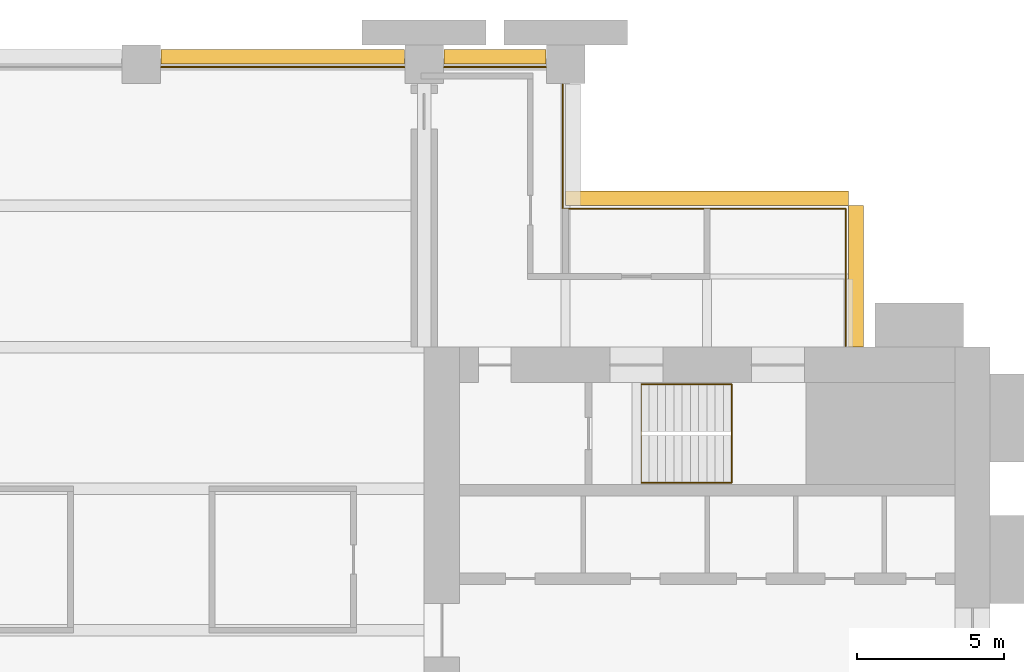
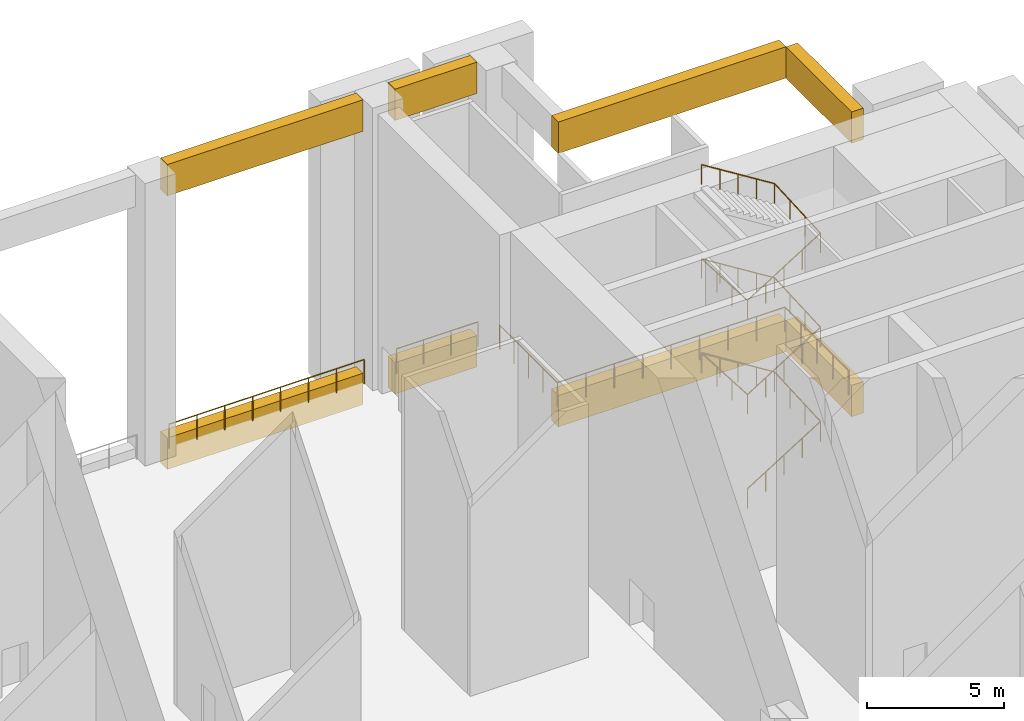
# One storey, part 10 of 10: 8 coverings, 4 railings.
"""IFC4 building model written with IfcOpenShell, lengths in metres."""

from ifc_helpers import new_model, si_unit, direction, frame, origin, origin_2d, place, context, subcontext, project, spatial, polyline, circle, outline, extrude, material, type_object, element, save


model = new_model("IFC4")

# Units and contexts
model_context = context("Model", 3, precision=1e-05, world=origin(), true_north=direction((0.0, 1.0)))
body_context = subcontext(model_context, "Body", "Model", "MODEL_VIEW")
ifc_project = project(units=[si_unit("LENGTHUNIT", "METRE"), si_unit("AREAUNIT", "SQUARE_METRE"), si_unit("VOLUMEUNIT", "CUBIC_METRE"), si_unit("PLANEANGLEUNIT", "RADIAN"), si_unit("MASSUNIT", "GRAM", prefix="KILO")], contexts=[model_context])

# Site, building, storey
site_placement = place(None, origin())
site = spatial("IfcSite", under=ifc_project, at=site_placement, CompositionType="ELEMENT")
building_placement = place(site_placement, origin())
building = spatial("IfcBuilding", under=site, at=building_placement, Name="Baori Bourse Tower", CompositionType="ELEMENT")
storey_placement = place(building_placement, frame((0.0, 0.0, 91.5)))
storey = spatial("IfcBuildingStorey", under=building, at=storey_placement, Name="L20", CompositionType="ELEMENT", Elevation=91.5)

# Railing
ifc_material_1 = material(Name="Powder-coated steel balustrade", Category="steel")
railing_type_1 = type_object("IfcRailingType", Name="Core stair handrail", PredefinedType="HANDRAIL", material=ifc_material_1)
railing_1_placement = place(storey_placement, frame((45.75, 33.800048828125, 0.175048828125)))
element("IfcRailing", 1, at=railing_1_placement, inside=storey, type_object=railing_type_1, Name="L20 ST4 stair handrail 1", PredefinedType="HANDRAIL", context=body_context, shape_type="SweptSolid", body=[
    extrude(circle(Radius=0.02392578125, at=origin_2d()), frame((0.0, 0.0, 0.8759765625), z_axis=(0.847998304005, 0.0, 0.529998940003), x_axis=(0.0, 1.0, 0.0)), (0.0, 0.0, 1.0), 3.632080078125),
    extrude(circle(Radius=0.02392578125, at=origin_2d()), frame((3.080078125, 0.0, 2.80078125), z_axis=(0.0, 0.998641252765, 0.052111882296), x_axis=(-1.0, 0.0, 0.0)), (0.0, 0.0, 1.0), 3.3544921875),
    extrude(circle(Radius=0.02392578125, at=origin_2d()), frame((3.080078125, 3.349853515625, 2.9755859375), z_axis=(-0.847998304005, 0.0, 0.529998940003), x_axis=(0.0, -1.0, 0.0)), (0.0, 0.0, 1.0), 3.632080078125),
    extrude(circle(Radius=0.02392578125, at=origin_2d()), frame((0.0, 3.349853515625, 4.90087890625), z_axis=(0.0, -0.99863746249, 0.052184466191), x_axis=(1.0, 0.0, 0.0)), (0.0, 0.0, 1.0), 3.3544921875),
    extrude(circle(Radius=0.02392578125, at=origin_2d()), frame((0.0, 0.0, 5.07568359375), z_axis=(0.847998304005, 0.0, 0.529998940003), x_axis=(0.0, 1.0, 0.0)), (0.0, 0.0, 1.0), 3.632080078125),
    extrude(circle(Radius=0.02392578125, at=origin_2d()), frame((3.080078125, 0.0, 7.0009765625), z_axis=(0.0, 0.99863746249, 0.052184466191), x_axis=(-1.0, 0.0, 0.0)), (0.0, 0.0, 1.0), 3.3544921875),
    extrude(circle(Radius=0.02392578125, at=origin_2d()), frame((3.080078125, 3.349853515625, 7.17578125), z_axis=(-0.848028513186, 0.0, 0.529950602248), x_axis=(0.0, -1.0, 0.0)), (0.0, 0.0, 1.0), 3.632080078125),
    extrude(circle(Radius=0.02392578125, at=origin_2d()), frame((0.0, 3.349853515625, 9.1005859375), z_axis=(0.0, -0.99863746249, 0.052184466191), x_axis=(1.0, 0.0, 0.0)), (0.0, 0.0, 1.0), 3.3544921875),
    extrude(circle(Radius=0.02392578125, at=origin_2d()), frame((0.0, 0.0, 9.27587890625), z_axis=(0.847998304005, 0.0, 0.529998940003), x_axis=(0.0, 1.0, 0.0)), (0.0, 0.0, 1.0), 3.632080078125),
    extrude(circle(Radius=0.02392578125, at=origin_2d()), frame((3.080078125, 0.0, 11.20068359375), z_axis=(0.0, 0.99863746249, 0.052184466191), x_axis=(-1.0, 0.0, 0.0)), (0.0, 0.0, 1.0), 3.3544921875),
    extrude(circle(Radius=0.02392578125, at=origin_2d()), frame((3.080078125, 3.349853515625, 11.3759765625), z_axis=(-0.847998304005, 0.0, 0.529998940003), x_axis=(0.0, -1.0, 0.0)), (0.0, 0.0, 1.0), 3.632080078125),
    extrude(circle(Radius=0.02099609375, at=origin_2d()), origin(), (0.0, 0.0, 1.0), 0.851806640625),
    extrude(circle(Radius=0.02099609375, at=origin_2d()), frame((0.77001953125, 0.0, 0.481201171875)), (0.0, 0.0, 1.0), 0.851806640625),
    extrude(circle(Radius=0.02099609375, at=origin_2d()), frame((1.5400390625, 0.0, 0.96240234375)), (0.0, 0.0, 1.0), 0.851806640625),
    extrude(circle(Radius=0.02099609375, at=origin_2d()), frame((2.31005859375, 0.0, 1.44384765625)), (0.0, 0.0, 1.0), 0.851806640625),
    extrude(circle(Radius=0.02099609375, at=origin_2d()), frame((3.080078125, 0.0, 1.925048828125)), (0.0, 0.0, 1.0), 0.851806640625),
    extrude(circle(Radius=0.02099609375, at=origin_2d()), frame((3.080078125, 1.11669921875, 1.9833984375)), (0.0, 0.0, 1.0), 0.851806640625),
    extrude(circle(Radius=0.02099609375, at=origin_2d()), frame((3.080078125, 2.233154296875, 2.04150390625)), (0.0, 0.0, 1.0), 0.851806640625),
    extrude(circle(Radius=0.02099609375, at=origin_2d()), frame((3.080078125, 3.349853515625, 2.099853515625)), (0.0, 0.0, 1.0), 0.851806640625),
    extrude(circle(Radius=0.02099609375, at=origin_2d()), frame((2.31005859375, 3.349853515625, 2.5810546875)), (0.0, 0.0, 1.0), 0.851806640625),
    extrude(circle(Radius=0.02099609375, at=origin_2d()), frame((1.5400390625, 3.349853515625, 3.0625)), (0.0, 0.0, 1.0), 0.851806640625),
    extrude(circle(Radius=0.02099609375, at=origin_2d()), frame((0.77001953125, 3.349853515625, 3.543701171875)), (0.0, 0.0, 1.0), 0.851806640625),
    extrude(circle(Radius=0.02099609375, at=origin_2d()), frame((0.0, 3.349853515625, 4.02490234375)), (0.0, 0.0, 1.0), 0.851806640625),
    extrude(circle(Radius=0.02099609375, at=origin_2d()), frame((0.0, 2.233154296875, 4.083251953125)), (0.0, 0.0, 1.0), 0.851806640625),
    extrude(circle(Radius=0.02099609375, at=origin_2d()), frame((0.0, 1.11669921875, 4.1416015625)), (0.0, 0.0, 1.0), 0.851806640625),
    extrude(circle(Radius=0.02099609375, at=origin_2d()), frame((0.0, 0.0, 4.199951171875)), (0.0, 0.0, 1.0), 0.851806640625),
    extrude(circle(Radius=0.02099609375, at=origin_2d()), frame((0.77001953125, 0.0, 4.68115234375)), (0.0, 0.0, 1.0), 0.851806640625),
    extrude(circle(Radius=0.02099609375, at=origin_2d()), frame((1.5400390625, 0.0, 5.16259765625)), (0.0, 0.0, 1.0), 0.851806640625),
    extrude(circle(Radius=0.02099609375, at=origin_2d()), frame((2.31005859375, 0.0, 5.643798828125)), (0.0, 0.0, 1.0), 0.851806640625),
    extrude(circle(Radius=0.02099609375, at=origin_2d()), frame((3.080078125, 0.0, 6.125)), (0.0, 0.0, 1.0), 0.851806640625),
    extrude(circle(Radius=0.02099609375, at=origin_2d()), frame((3.080078125, 1.11669921875, 6.183349609375)), (0.0, 0.0, 1.0), 0.851806640625),
    extrude(circle(Radius=0.02099609375, at=origin_2d()), frame((3.080078125, 2.233154296875, 6.24169921875)), (0.0, 0.0, 1.0), 0.851806640625),
    extrude(circle(Radius=0.02099609375, at=origin_2d()), frame((3.080078125, 3.349853515625, 6.300048828125)), (0.0, 0.0, 1.0), 0.851806640625),
    extrude(circle(Radius=0.02099609375, at=origin_2d()), frame((2.31005859375, 3.349853515625, 6.78125)), (0.0, 0.0, 1.0), 0.851806640625),
    extrude(circle(Radius=0.02099609375, at=origin_2d()), frame((1.5400390625, 3.349853515625, 7.262451171875)), (0.0, 0.0, 1.0), 0.851806640625),
    extrude(circle(Radius=0.02099609375, at=origin_2d()), frame((0.77001953125, 3.349853515625, 7.74365234375)), (0.0, 0.0, 1.0), 0.851806640625),
    extrude(circle(Radius=0.02099609375, at=origin_2d()), frame((0.0, 3.349853515625, 8.224853515625)), (0.0, 0.0, 1.0), 0.851806640625),
    extrude(circle(Radius=0.02099609375, at=origin_2d()), frame((0.0, 2.233154296875, 8.283203125)), (0.0, 0.0, 1.0), 0.851806640625),
    extrude(circle(Radius=0.02099609375, at=origin_2d()), frame((0.0, 1.11669921875, 8.341552734375)), (0.0, 0.0, 1.0), 0.851806640625),
    extrude(circle(Radius=0.02099609375, at=origin_2d()), frame((0.0, 0.0, 8.39990234375)), (0.0, 0.0, 1.0), 0.851806640625),
    extrude(circle(Radius=0.02099609375, at=origin_2d()), frame((0.77001953125, 0.0, 8.881103515625)), (0.0, 0.0, 1.0), 0.851806640625),
    extrude(circle(Radius=0.02099609375, at=origin_2d()), frame((1.5400390625, 0.0, 9.3623046875)), (0.0, 0.0, 1.0), 0.851806640625),
    extrude(circle(Radius=0.02099609375, at=origin_2d()), frame((2.31005859375, 0.0, 9.84375)), (0.0, 0.0, 1.0), 0.851806640625),
    extrude(circle(Radius=0.02099609375, at=origin_2d()), frame((3.080078125, 0.0, 10.324951171875)), (0.0, 0.0, 1.0), 0.851806640625),
    extrude(circle(Radius=0.02099609375, at=origin_2d()), frame((3.080078125, 1.11669921875, 10.38330078125)), (0.0, 0.0, 1.0), 0.851806640625),
    extrude(circle(Radius=0.02099609375, at=origin_2d()), frame((3.080078125, 2.233154296875, 10.441650390625)), (0.0, 0.0, 1.0), 0.851806640625),
    extrude(circle(Radius=0.02099609375, at=origin_2d()), frame((3.080078125, 3.349853515625, 10.5)), (0.0, 0.0, 1.0), 0.851806640625),
    extrude(circle(Radius=0.02099609375, at=origin_2d()), frame((2.31005859375, 3.349853515625, 10.981201171875)), (0.0, 0.0, 1.0), 0.851806640625),
    extrude(circle(Radius=0.02099609375, at=origin_2d()), frame((1.5400390625, 3.349853515625, 11.46240234375)), (0.0, 0.0, 1.0), 0.851806640625),
    extrude(circle(Radius=0.02099609375, at=origin_2d()), frame((0.77001953125, 3.349853515625, 11.94384765625)), (0.0, 0.0, 1.0), 0.851806640625),
    extrude(circle(Radius=0.02099609375, at=origin_2d()), frame((0.0, 3.349853515625, 12.425048828125)), (0.0, 0.0, 1.0), 0.851806640625),
])

# Coverings
ifc_material_2 = material(Name="Pale anodised aluminium", Category="aluminium")
covering_type = type_object("IfcCoveringType", Name="ED2 Portal fascia band", PredefinedType="CLADDING", material=ifc_material_2)
covering_1_placement = place(storey_placement, frame((0.0, 0.0, -1.0)))
element("IfcCovering", 2, at=covering_1_placement, inside=storey, type_object=covering_type, Name="Portal fascia band deck L20 1", PredefinedType="CLADDING", context=body_context, shape_type="SweptSolid", body=[
    extrude(outline(polyline([(52.800048828125, 43.199951171875), (52.800048828125, 38.39990234375), (53.300048828125, 38.39990234375), (53.300048828125, 43.199951171875), (52.800048828125, 43.199951171875)])), origin(), (0.0, 0.0, 1.0), 1.39990234375),
])
covering_2_placement = place(storey_placement, frame((0.0, 0.0, 11.199951171875)))
element("IfcCovering", 3, at=covering_2_placement, inside=storey, type_object=covering_type, Name="Portal fascia band head L20 2", PredefinedType="CLADDING", context=body_context, shape_type="SweptSolid", body=[
    extrude(outline(polyline([(52.800048828125, 43.199951171875), (52.800048828125, 38.39990234375), (53.300048828125, 38.39990234375), (53.300048828125, 43.199951171875), (52.800048828125, 43.199951171875)])), origin(), (0.0, 0.0, 1.0), 1.400146484375),
])
covering_3_placement = place(storey_placement, frame((0.0, 0.0, -1.0)))
element("IfcCovering", 4, at=covering_3_placement, inside=storey, type_object=covering_type, Name="Portal fascia band deck L20 3", PredefinedType="CLADDING", context=body_context, shape_type="SweptSolid", body=[
    extrude(outline(polyline([(43.199951171875, 43.199951171875), (52.800048828125, 43.199951171875), (52.800048828125, 43.699951171875), (43.199951171875, 43.699951171875), (43.199951171875, 43.199951171875)])), origin(), (0.0, 0.0, 1.0), 1.39990234375),
])
covering_4_placement = place(storey_placement, frame((0.0, 0.0, 11.199951171875)))
element("IfcCovering", 5, at=covering_4_placement, inside=storey, type_object=covering_type, Name="Portal fascia band head L20 4", PredefinedType="CLADDING", context=body_context, shape_type="SweptSolid", body=[
    extrude(outline(polyline([(43.199951171875, 43.199951171875), (52.800048828125, 43.199951171875), (52.800048828125, 43.699951171875), (43.199951171875, 43.699951171875), (43.199951171875, 43.199951171875)])), origin(), (0.0, 0.0, 1.0), 1.400146484375),
])
covering_5_placement = place(storey_placement, frame((0.0, 0.0, -1.0)))
element("IfcCovering", 6, at=covering_5_placement, inside=storey, type_object=covering_type, Name="Portal fascia band deck L20 7", PredefinedType="CLADDING", context=body_context, shape_type="SweptSolid", body=[
    extrude(outline(polyline([(39.070068359375, 48.0), (42.530029296875, 48.0), (42.530029296875, 48.5), (39.070068359375, 48.5), (39.070068359375, 48.0)])), origin(), (0.0, 0.0, 1.0), 1.39990234375),
])
covering_6_placement = place(storey_placement, frame((0.0, 0.0, 11.199951171875)))
element("IfcCovering", 7, at=covering_6_placement, inside=storey, type_object=covering_type, Name="Portal fascia band head L20 8", PredefinedType="CLADDING", context=body_context, shape_type="SweptSolid", body=[
    extrude(outline(polyline([(39.070068359375, 48.0), (42.530029296875, 48.0), (42.530029296875, 48.5), (39.070068359375, 48.5), (39.070068359375, 48.0)])), origin(), (0.0, 0.0, 1.0), 1.400146484375),
])
covering_7_placement = place(storey_placement, frame((0.0, 0.0, -1.0)))
element("IfcCovering", 8, at=covering_7_placement, inside=storey, type_object=covering_type, Name="Portal fascia band deck L20 9", PredefinedType="CLADDING", context=body_context, shape_type="SweptSolid", body=[
    extrude(outline(polyline([(29.469970703125, 48.0), (37.72998046875, 48.0), (37.72998046875, 48.5), (29.469970703125, 48.5), (29.469970703125, 48.0)])), origin(), (0.0, 0.0, 1.0), 1.39990234375),
])
covering_8_placement = place(storey_placement, frame((0.0, 0.0, 11.199951171875)))
element("IfcCovering", 9, at=covering_8_placement, inside=storey, type_object=covering_type, Name="Portal fascia band head L20 10", PredefinedType="CLADDING", context=body_context, shape_type="SweptSolid", body=[
    extrude(outline(polyline([(29.469970703125, 48.0), (37.72998046875, 48.0), (37.72998046875, 48.5), (29.469970703125, 48.5), (29.469970703125, 48.0)])), origin(), (0.0, 0.0, 1.0), 1.400146484375),
])

# Railings
ifc_material_3 = material(Name="Stainless steel", Category="steel")
railing_type_2 = type_object("IfcRailingType", Name="GD1 Guard", PredefinedType="GUARDRAIL", material=ifc_material_3)
railing_2_placement = place(storey_placement, frame((52.699951171875, 38.429931640625, 0.0)))
element("IfcRailing", 10, at=railing_2_placement, inside=storey, type_object=railing_type_2, Name="Guard sky deck L20 1", PredefinedType="GUARDRAIL", context=body_context, shape_type="SweptSolid", body=[
    extrude(circle(Radius=0.02392578125, at=origin_2d()), frame((0.0, 0.0, 1.076171875), z_axis=(0.0, 1.0, 0.0), x_axis=(-1.0, 0.0, 0.0)), (0.0, 0.0, 1.0), 4.670166015625),
    extrude(circle(Radius=0.02392578125, at=origin_2d()), frame((0.0, 4.670166015625, 1.076171875), z_axis=(-1.0, 0.0, 0.0), x_axis=(0.0, -1.0, 0.0)), (0.0, 0.0, 1.0), 9.599853515625),
    extrude(circle(Radius=0.02392578125, at=origin_2d()), frame((-9.599853515625, 4.670166015625, 1.076171875), z_axis=(0.0, 1.0, 0.0), x_axis=(-1.0, 0.0, 0.0)), (0.0, 0.0, 1.0), 4.219970703125),
    extrude(circle(Radius=0.02099609375, at=origin_2d()), origin(), (0.0, 0.0, 1.0), 1.052001953125),
    extrude(circle(Radius=0.02099609375, at=origin_2d()), frame((0.0, 1.16748046875, 0.0)), (0.0, 0.0, 1.0), 1.052001953125),
    extrude(circle(Radius=0.02099609375, at=origin_2d()), frame((0.0, 2.3349609375, 0.0)), (0.0, 0.0, 1.0), 1.052001953125),
    extrude(circle(Radius=0.02099609375, at=origin_2d()), frame((0.0, 3.502685546875, 0.0)), (0.0, 0.0, 1.0), 1.052001953125),
    extrude(circle(Radius=0.02099609375, at=origin_2d()), frame((0.0, 4.670166015625, 0.0)), (0.0, 0.0, 1.0), 1.052001953125),
    extrude(circle(Radius=0.02099609375, at=origin_2d()), frame((-1.199951171875, 4.670166015625, 0.0)), (0.0, 0.0, 1.0), 1.052001953125),
    extrude(circle(Radius=0.02099609375, at=origin_2d()), frame((-2.39990234375, 4.670166015625, 0.0)), (0.0, 0.0, 1.0), 1.052001953125),
    extrude(circle(Radius=0.02099609375, at=origin_2d()), frame((-3.599853515625, 4.670166015625, 0.0)), (0.0, 0.0, 1.0), 1.052001953125),
    extrude(circle(Radius=0.02099609375, at=origin_2d()), frame((-4.7998046875, 4.670166015625, 0.0)), (0.0, 0.0, 1.0), 1.052001953125),
    extrude(circle(Radius=0.02099609375, at=origin_2d()), frame((-6.0, 4.670166015625, 0.0)), (0.0, 0.0, 1.0), 1.052001953125),
    extrude(circle(Radius=0.02099609375, at=origin_2d()), frame((-7.199951171875, 4.670166015625, 0.0)), (0.0, 0.0, 1.0), 1.052001953125),
    extrude(circle(Radius=0.02099609375, at=origin_2d()), frame((-8.39990234375, 4.670166015625, 0.0)), (0.0, 0.0, 1.0), 1.052001953125),
    extrude(circle(Radius=0.02099609375, at=origin_2d()), frame((-9.599853515625, 4.670166015625, 0.0)), (0.0, 0.0, 1.0), 1.052001953125),
    extrude(circle(Radius=0.02099609375, at=origin_2d()), frame((-9.599853515625, 5.72509765625, 0.0)), (0.0, 0.0, 1.0), 1.052001953125),
    extrude(circle(Radius=0.02099609375, at=origin_2d()), frame((-9.599853515625, 6.7802734375, 0.0)), (0.0, 0.0, 1.0), 1.052001953125),
    extrude(circle(Radius=0.02099609375, at=origin_2d()), frame((-9.599853515625, 7.835205078125, 0.0)), (0.0, 0.0, 1.0), 1.052001953125),
    extrude(circle(Radius=0.02099609375, at=origin_2d()), frame((-9.599853515625, 8.89013671875, 0.0)), (0.0, 0.0, 1.0), 1.052001953125),
])
railing_3_placement = place(storey_placement, frame((42.52001953125, 47.89990234375, 0.0)))
element("IfcRailing", 11, at=railing_3_placement, inside=storey, type_object=railing_type_2, Name="Guard sky deck L20 2", PredefinedType="GUARDRAIL", context=body_context, shape_type="SweptSolid", body=[
    extrude(circle(Radius=0.02392578125, at=origin_2d()), frame((0.0, 0.0, 1.076171875), z_axis=(-1.0, 0.0, 0.0), x_axis=(0.0, -1.0, 0.0)), (0.0, 0.0, 1.0), 3.43994140625),
    extrude(circle(Radius=0.02099609375, at=origin_2d()), origin(), (0.0, 0.0, 1.0), 1.052001953125),
    extrude(circle(Radius=0.02099609375, at=origin_2d()), frame((-1.146728515625, 0.0, 0.0)), (0.0, 0.0, 1.0), 1.052001953125),
    extrude(circle(Radius=0.02099609375, at=origin_2d()), frame((-2.293212890625, 0.0, 0.0)), (0.0, 0.0, 1.0), 1.052001953125),
    extrude(circle(Radius=0.02099609375, at=origin_2d()), frame((-3.43994140625, 0.0, 0.0)), (0.0, 0.0, 1.0), 1.052001953125),
])
railing_4_placement = place(storey_placement, frame((37.719970703125, 47.89990234375, 0.0)))
element("IfcRailing", 12, at=railing_4_placement, inside=storey, type_object=railing_type_2, Name="Guard sky deck L20 3", PredefinedType="GUARDRAIL", context=body_context, shape_type="SweptSolid", body=[
    extrude(circle(Radius=0.02392578125, at=origin_2d()), frame((0.0, 0.0, 1.076171875), z_axis=(-1.0, 0.0, 0.0), x_axis=(0.0, -1.0, 0.0)), (0.0, 0.0, 1.0), 8.239990234375),
    extrude(circle(Radius=0.02099609375, at=origin_2d()), origin(), (0.0, 0.0, 1.0), 1.052001953125),
    extrude(circle(Radius=0.02099609375, at=origin_2d()), frame((-1.17724609375, 0.0, 0.0)), (0.0, 0.0, 1.0), 1.052001953125),
    extrude(circle(Radius=0.02099609375, at=origin_2d()), frame((-2.354248046875, 0.0, 0.0)), (0.0, 0.0, 1.0), 1.052001953125),
    extrude(circle(Radius=0.02099609375, at=origin_2d()), frame((-3.531494140625, 0.0, 0.0)), (0.0, 0.0, 1.0), 1.052001953125),
    extrude(circle(Radius=0.02099609375, at=origin_2d()), frame((-4.70849609375, 0.0, 0.0)), (0.0, 0.0, 1.0), 1.052001953125),
    extrude(circle(Radius=0.02099609375, at=origin_2d()), frame((-5.8857421875, 0.0, 0.0)), (0.0, 0.0, 1.0), 1.052001953125),
    extrude(circle(Radius=0.02099609375, at=origin_2d()), frame((-7.062744140625, 0.0, 0.0)), (0.0, 0.0, 1.0), 1.052001953125),
    extrude(circle(Radius=0.02099609375, at=origin_2d()), frame((-8.239990234375, 0.0, 0.0)), (0.0, 0.0, 1.0), 1.052001953125),
])

save(model, "model.ifc")
